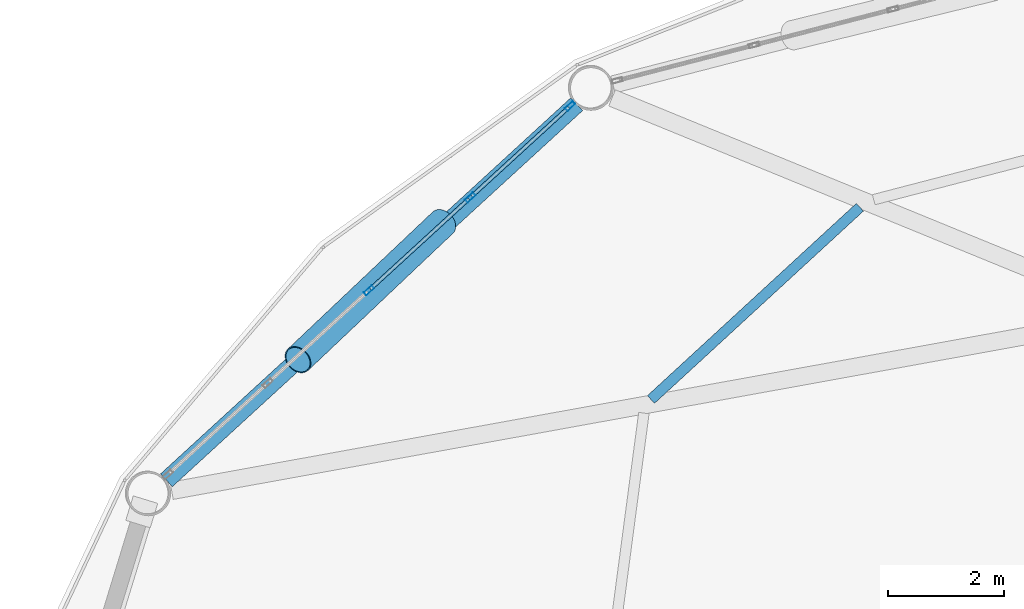
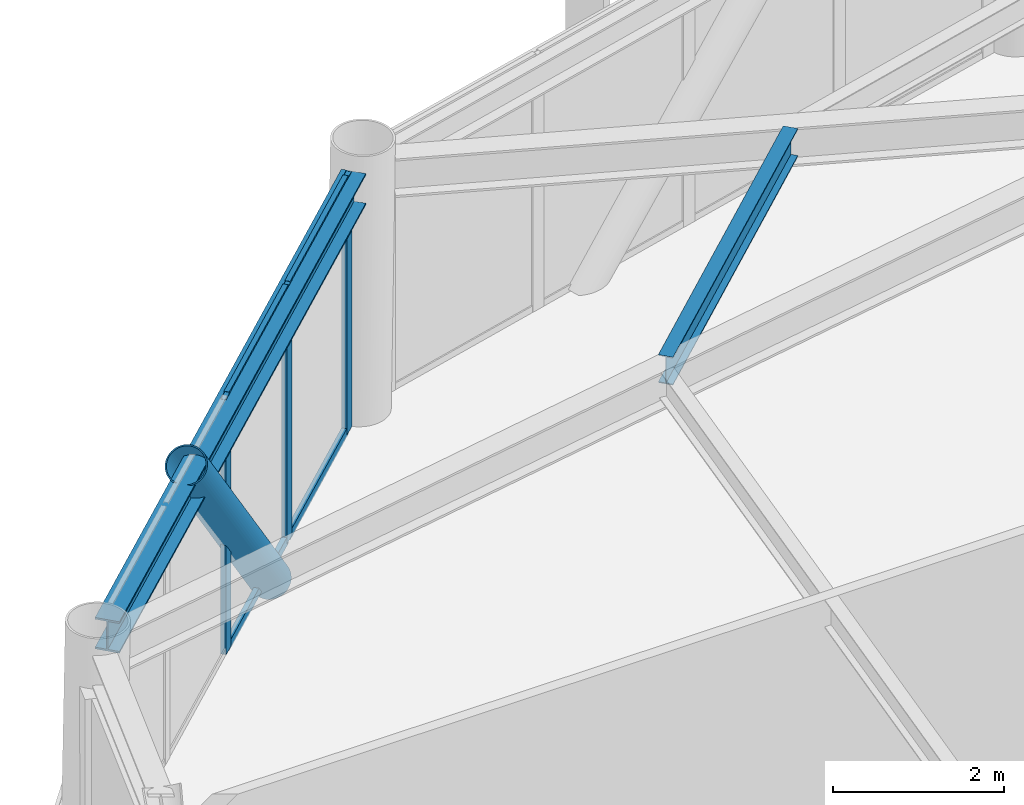
# One storey, part 16 of 26: 8 members, 2 beams, 1 element without a shape of its own.
"""IFC4 building model written with IfcOpenShell, lengths in metres."""

import ifcopenshell
import ifcopenshell.guid

model = None  # the IFC model being written
_history = None  # IfcOwnerHistory: only IFC2X3 demands one
_inside = {}  # id of a spatial element -> (the spatial element, [elements in it])
_under = {}  # id of a project, library or spatial element -> (it, [spatial elements below it])
_declared = {}  # id of a project -> (the project, [libraries it declares])
_typed = {}  # id of a type object -> (the type object, [elements of that type])
_made_of = {}  # id of a material, layer set ... -> (it, [elements and type objects made of it])


def new_model(schema):
    """Start an empty IFC model of exactly this schema.

    Asked for "IFC4X3", IfcOpenShell would pick the latest addendum, in which some entities
    have other attributes; the version numbers below select the first issue.
    IFC2X3 requires an IfcOwnerHistory on every rooted entity: one is made here for all.
    """
    global model, _history
    if schema == "IFC4X3":
        model = ifcopenshell.file(schema_version=(4, 3, 0, 0))
    else:
        model = ifcopenshell.file(schema=schema)
    _inside.clear()
    _under.clear()
    _declared.clear()
    _typed.clear()
    _made_of.clear()
    _history = None
    if model.schema == "IFC2X3":
        org = make("IfcOrganization", Name="unknown")
        user = make(
            "IfcPersonAndOrganization",
            ThePerson=make("IfcPerson", FamilyName="unknown"),
            TheOrganization=org,
        )
        app = make(
            "IfcApplication",
            ApplicationDeveloper=org,
            Version="unknown",
            ApplicationFullName="unknown",
            ApplicationIdentifier="unknown",
        )
        _history = make(
            "IfcOwnerHistory",
            OwningUser=user,
            OwningApplication=app,
            ChangeAction="ADDED",
            CreationDate=0,
        )
    return model


def make(cls, **values):
    """One entity of the class cls with the attributes given. An attribute that is None is left unset."""
    return model.create_entity(
        cls, **{name: value for name, value in values.items() if value is not None}
    )


def rooted(cls, **values):
    """An entity with a GlobalId (a new one), such as an element, a storey or a relation."""
    return make(cls, GlobalId=ifcopenshell.guid.new(), OwnerHistory=_history, **values)


def si_unit(unit_type, name, prefix=None):
    """IfcSIUnit, for example si_unit("LENGTHUNIT", "METRE", prefix="MILLI")."""
    return make("IfcSIUnit", UnitType=unit_type, Prefix=prefix, Name=name)


def assignment(units):
    """IfcUnitAssignment: the units of a project."""
    return None if units is None else make("IfcUnitAssignment", Units=units)


def point(xyz):
    """IfcCartesianPoint."""
    return None if xyz is None else make("IfcCartesianPoint", Coordinates=xyz)


def direction(xyz):
    """IfcDirection."""
    return None if xyz is None else make("IfcDirection", DirectionRatios=xyz)


def frame(location, z_axis=None, x_axis=None):
    """IfcAxis2Placement3D, a coordinate frame: its origin and axes. An axis left out is left unset."""
    return make(
        "IfcAxis2Placement3D",
        Location=point(location),
        Axis=direction(z_axis),
        RefDirection=direction(x_axis),
    )


def frame_2d(location, x_axis=None):
    """IfcAxis2Placement2D, a coordinate frame in the plane: its origin and x axis."""
    return make(
        "IfcAxis2Placement2D", Location=point(location), RefDirection=direction(x_axis)
    )


def origin():
    """The frame at (0, 0, 0) with its axes left unset."""
    return frame((0.0, 0.0, 0.0))


def origin_2d():
    """The frame at (0, 0) in the plane with its x axis left unset."""
    return frame_2d((0.0, 0.0))


def place(relative_to, where):
    """IfcLocalPlacement: puts the frame where relative to a parent placement (None: the world)."""
    return make(
        "IfcLocalPlacement", PlacementRelTo=relative_to, RelativePlacement=where
    )


def context(
    kind, dimensions, precision=None, world=None, true_north=None, identifier=None
):
    """IfcGeometricRepresentationContext, for example the 3D "Model" context."""
    return make(
        "IfcGeometricRepresentationContext",
        ContextIdentifier=identifier,
        ContextType=kind,
        CoordinateSpaceDimension=dimensions,
        Precision=precision,
        WorldCoordinateSystem=world,
        TrueNorth=true_north,
    )


def subcontext(parent, identifier, kind, view, scale=None):
    """IfcGeometricRepresentationSubContext, for example "Body" below "Model"."""
    return make(
        "IfcGeometricRepresentationSubContext",
        ContextIdentifier=identifier,
        ContextType=kind,
        ParentContext=parent,
        TargetScale=scale,
        TargetView=view,
    )


def project(units=None, contexts=None):
    """IfcProject with its units and contexts."""
    return rooted(
        "IfcProject",
        Name="project",
        RepresentationContexts=contexts,
        UnitsInContext=assignment(units),
    )


def spatial(cls, under=None, at=None, **own):
    """A site, building, storey or space (cls), placed at a placement, below another one or the project."""
    s = rooted(cls, ObjectPlacement=at, **own)
    if under is not None:
        _under.setdefault(under.id(), (under, []))[1].append(s)
    return s


def profile(cls, at=None, kind="AREA", **sizes):
    """A parametric profile (cls). Its sizes go by their IFC names, for example OverallWidth=200.0."""
    return make(cls, ProfileType=kind, Position=at, **sizes)


def hollow_rectangle(**sizes):
    """IfcRectangleHollowProfileDef."""
    return profile("IfcRectangleHollowProfileDef", **sizes)


def hollow_circle(**sizes):
    """IfcCircleHollowProfileDef."""
    return profile("IfcCircleHollowProfileDef", **sizes)


def i_section(**sizes):
    """IfcIShapeProfileDef."""
    return profile("IfcIShapeProfileDef", **sizes)


def extrude(swept, where, along, depth):
    """IfcExtrudedAreaSolid: the profile swept, set in the frame where, extruded along a direction by depth."""
    return make(
        "IfcExtrudedAreaSolid",
        SweptArea=swept,
        Position=where,
        ExtrudedDirection=direction(along),
        Depth=depth,
    )


def shape(context_of_items, identifier, shape_type, items):
    """IfcShapeRepresentation: the items that make up one representation, for example the "Body"."""
    return make(
        "IfcShapeRepresentation",
        ContextOfItems=context_of_items,
        RepresentationIdentifier=identifier,
        RepresentationType=shape_type,
        Items=items,
    )


def material(Name=None, Category=None):
    """IfcMaterial."""
    return make("IfcMaterial", Name=Name, Category=Category)


def layer(
    of_material, thickness, ventilated=None, Name=None, Category=None, Priority=None
):
    """IfcMaterialLayer: one layer of a wall or slab, of a material (None: an air gap)."""
    return make(
        "IfcMaterialLayer",
        Material=of_material,
        LayerThickness=thickness,
        IsVentilated=ventilated,
        Name=Name,
        Category=Category,
        Priority=Priority,
    )


def layer_set(layers, Name=None):
    """IfcMaterialLayerSet."""
    return make("IfcMaterialLayerSet", MaterialLayers=layers, LayerSetName=Name)


def material_profile(
    of_material, cross_section, Name=None, Category=None, Priority=None
):
    """IfcMaterialProfile: a cross section and its material."""
    return make(
        "IfcMaterialProfile",
        Name=Name,
        Material=of_material,
        Profile=cross_section,
        Priority=Priority,
        Category=Category,
    )


def profile_set(profiles, Name=None, composite=None):
    """IfcMaterialProfileSet."""
    return make(
        "IfcMaterialProfileSet",
        Name=Name,
        MaterialProfiles=profiles,
        CompositeProfile=composite,
    )


def made_of(thing, what):
    """Note that an element or type object is made of a material, layer set ...; save() writes the relation."""
    if what is not None:
        _made_of.setdefault(what.id(), (what, []))[1].append(thing)
    return thing


def type_object(cls, material=None, **own):
    """A type object (cls), such as IfcWallType, which elements share."""
    return made_of(rooted(cls, **own), material)


def element(
    cls,
    number,
    at=None,
    inside=None,
    cuts=None,
    type_object=None,
    material=None,
    context=None,
    identifier="Body",
    shape_type=None,
    held_by="IfcProductDefinitionShape",
    body=None,
    shapes=None,
    **own,
):
    """One element of the class cls, such as IfcWall. Its Tag is "e" and its number.

    at: its placement. inside: the storey or other place that contains it. cuts: it is an
    opening in that element (IfcRelVoidsElement). A single representation is given by context,
    identifier, shape_type and body (its items); several are given by shapes. held_by: the class
    of the entity that holds the representations. save() writes the other relations.
    """
    e = rooted(cls, Tag="e%d" % number, ObjectPlacement=at, **own)
    if body is not None:
        shapes = [shape(context, identifier, shape_type, body)]
    if shapes is not None:
        e.Representation = make(held_by, Representations=shapes)
    if inside is not None:
        _inside.setdefault(inside.id(), (inside, []))[1].append(e)
    if cuts is not None:
        rooted(
            "IfcRelVoidsElement", RelatingBuildingElement=cuts, RelatedOpeningElement=e
        )
    if type_object is not None:
        _typed.setdefault(type_object.id(), (type_object, []))[1].append(e)
    return made_of(e, material)


def aggregate(whole, parts):
    """IfcRelAggregates: a whole, such as a stair, and the parts it consists of."""
    return rooted("IfcRelAggregates", RelatingObject=whole, RelatedObjects=parts)


def save(model, path):
    """Write the relations noted so far, then the file.

    IfcRelAggregates (storeys below a building ...), IfcRelContainedInSpatialStructure (elements
    in a storey), IfcRelDefinesByType, IfcRelAssociatesMaterial and IfcRelDeclares: one each for
    every whole, place, type object, material and project.
    """
    for whole, parts in _under.values():
        aggregate(whole, parts)
    for where, things in _inside.values():
        rooted(
            "IfcRelContainedInSpatialStructure",
            RelatedElements=things,
            RelatingStructure=where,
        )
    for kind, things in _typed.values():
        rooted("IfcRelDefinesByType", RelatedObjects=things, RelatingType=kind)
    for what, things in _made_of.values():
        rooted("IfcRelAssociatesMaterial", RelatedObjects=things, RelatingMaterial=what)
    for by, libraries in _declared.values():
        rooted("IfcRelDeclares", RelatingContext=by, RelatedDefinitions=libraries)
    model.write(path)


model = new_model("IFC4")

# Units and contexts
model_context = context("Model", 3, precision=1e-05, world=origin(), true_north=direction((0.0, 1.0)))
body_context = subcontext(model_context, "Body", "Model", "MODEL_VIEW")
ifc_project = project(units=[si_unit("LENGTHUNIT", "METRE"), si_unit("AREAUNIT", "SQUARE_METRE"), si_unit("VOLUMEUNIT", "CUBIC_METRE"), si_unit("PLANEANGLEUNIT", "RADIAN"), si_unit("MASSUNIT", "GRAM", prefix="KILO")], contexts=[model_context])

# Site, building, storey
site_placement = place(None, origin())
site = spatial("IfcSite", under=ifc_project, at=site_placement, CompositionType="ELEMENT")
building_placement = place(site_placement, origin())
building = spatial("IfcBuilding", under=site, at=building_placement, Name="Varnakorn Sky Granary", CompositionType="ELEMENT")
storey_placement = place(building_placement, frame((0.0, 0.0, 138.300048828125)))
storey = spatial("IfcBuildingStorey", under=building, at=storey_placement, Name="L34", CompositionType="ELEMENT", Elevation=138.300048828125)

# Beams
ifc_material_1 = material(Name="Steel S355JR", Category="steel")
ifc_material_profile_1 = material_profile(ifc_material_1, i_section(OverallWidth=0.179931640625, OverallDepth=0.39990234375, WebThickness=0.008544921875, FlangeThickness=0.013427734375, at=origin_2d()), Name="IPE 400")
ifc_profile_set_1 = profile_set([ifc_material_profile_1], Name="Steel S355JR")
beam_type_1 = type_object("IfcBeamType", Name="BM-SEC-Z3", PredefinedType="BEAM", material=ifc_profile_set_1)
beam_1_placement = place(storey_placement, frame((-7.283447265625, 14.473388671875, 3.43994140625), z_axis=(-0.735899171658, -0.677091137996, 0.0), x_axis=(0.677091137996, -0.735899171658, 0.0)))
element("IfcBeam", 1, at=beam_1_placement, inside=storey, type_object=beam_type_1, Name="Secondary Floor Chord Beam MSB05 L34", PredefinedType="BEAM", context=body_context, shape_type="SweptSolid", body=[
    extrude(i_section(OverallWidth=0.179931640625, OverallDepth=0.39990234375, WebThickness=0.008544921875, FlangeThickness=0.013427734375, at=origin_2d()), origin(), (0.0, 0.0, 1.0), 4.890380859375),
])
ifc_material_profile_2 = material_profile(ifc_material_1, i_section(OverallWidth=0.300048828125, OverallDepth=0.449951171875, WebThickness=0.013916015625, FlangeThickness=0.02587890625, at=origin_2d()), Name="HE 450 B")
ifc_profile_set_2 = profile_set([ifc_material_profile_2], Name="Steel S355JR")
beam_type_2 = type_object("IfcBeamType", Name="BM-SPD-Z3", PredefinedType="SPANDREL", material=ifc_profile_set_2)
beam_2_placement = place(storey_placement, frame((-12.160888671875, 16.248779296875, 3.4150390625), z_axis=(-0.737177396724, -0.675699256888, 0.0), x_axis=(0.675699256888, -0.737177396724, 0.0)))
element("IfcBeam", 2, at=beam_2_placement, inside=storey, type_object=beam_type_2, Name="Perimeter Spandrel Ring Beam RB05 L34", PredefinedType="SPANDREL", context=body_context, shape_type="SweptSolid", body=[
    extrude(i_section(OverallWidth=0.300048828125, OverallDepth=0.449951171875, WebThickness=0.013916015625, FlangeThickness=0.02587890625, at=origin_2d()), origin(), (0.0, 0.0, 1.0), 9.58642578125),
])

# Curtain wall, members
ifc_material_2 = material(Name="Anodised Bronze Aluminium Alloy 6063-T6", Category="aluminium")
ifc_layer = layer(ifc_material_2, 0.179931640625, Name="Anodised Bronze Aluminium Alloy 6063-T6")
ifc_layer_set = layer_set([ifc_layer], Name="Anodised Bronze Aluminium Alloy 6063-T6")
curtain_wall_type = type_object("IfcCurtainWallType", Name="CW-FRM-2", PredefinedType="USERDEFINED", material=ifc_layer_set)
curtain_wall_placement = place(storey_placement, origin())
curtain_wall = element("IfcCurtainWall", 3, at=curtain_wall_placement, inside=storey, type_object=curtain_wall_type, Name="Unitised Curtain Wall CW4 CW-L34-B05", ObjectType="CURTAIN WALL", PredefinedType="USERDEFINED")
ifc_material_profile_3 = material_profile(ifc_material_2, hollow_rectangle(XDim=0.070068359375, YDim=0.18505859375, WallThickness=0.00390625, at=origin_2d()), Name="ALU MULL 70x185")
ifc_profile_set_3 = profile_set([ifc_material_profile_3], Name="Anodised Bronze Aluminium Alloy 6063-T6")
member_type_1 = type_object("IfcMemberType", Name="CW-FRM-2-MULL", PredefinedType="MULLION", material=ifc_profile_set_3)
member_1_placement = place(storey_placement, frame((-15.739501953125, 13.042724609375, 0.0), z_axis=(0.0, 0.0, 1.0), x_axis=(-0.675438035219, 0.737416748236, 0.0)))
member_1 = element("IfcMember", 4, at=member_1_placement, type_object=member_type_1, Name="CW4 mullion 3", PredefinedType="MULLION", context=body_context, shape_type="SweptSolid", body=[
    extrude(hollow_rectangle(XDim=0.070068359375, YDim=0.18505859375, WallThickness=0.00390625, at=origin_2d()), origin(), (0.0, 0.0, 1.0), 3.639892578125),
])
member_2_placement = place(storey_placement, frame((-13.994384765625, 14.641357421875, 0.0), z_axis=(0.0, 0.0, 1.0), x_axis=(-0.675438035219, 0.737416748236, 0.0)))
member_2 = element("IfcMember", 5, at=member_2_placement, type_object=member_type_1, Name="CW4 mullion 4", PredefinedType="MULLION", context=body_context, shape_type="SweptSolid", body=[
    extrude(hollow_rectangle(XDim=0.070068359375, YDim=0.18505859375, WallThickness=0.00390625, at=origin_2d()), origin(), (0.0, 0.0, 1.0), 3.639892578125),
])
member_3_placement = place(storey_placement, frame((-12.27490234375, 16.216064453125, 0.0), z_axis=(0.0, 0.0, 1.0), x_axis=(-0.675438035219, 0.737416748236, 0.0)))
member_3 = element("IfcMember", 6, at=member_3_placement, type_object=member_type_1, Name="CW4 mullion 5", PredefinedType="MULLION", context=body_context, shape_type="SweptSolid", body=[
    extrude(hollow_rectangle(XDim=0.070068359375, YDim=0.18505859375, WallThickness=0.00390625, at=origin_2d()), origin(), (0.0, 0.0, 1.0), 3.639892578125),
])
ifc_material_profile_4 = material_profile(ifc_material_2, hollow_rectangle(XDim=0.06494140625, YDim=0.1201171875, WallThickness=0.00341796875, at=origin_2d()), Name="ALU TRAN 65x120")
ifc_profile_set_4 = profile_set([ifc_material_profile_4], Name="Anodised Bronze Aluminium Alloy 6063-T6")
member_type_2 = type_object("IfcMemberType", Name="CW-FRM-2-TRAN", PredefinedType="USERDEFINED", material=ifc_profile_set_4)
member_4_placement = place(storey_placement, frame((-15.713623046875, 13.06640625, 0.032470703125), z_axis=(0.737414424206, 0.675440572496, 0.0), x_axis=(-0.675440572496, 0.737414424206, 0.0)))
member_4 = element("IfcMember", 7, at=member_4_placement, type_object=member_type_2, Name="CW4 transom 3.1", ObjectType="TRANSOM", PredefinedType="USERDEFINED", context=body_context, shape_type="SweptSolid", body=[
    extrude(hollow_rectangle(XDim=0.06494140625, YDim=0.1201171875, WallThickness=0.00341796875, at=origin_2d()), origin(), (0.0, 0.0, 1.0), 2.296630859375),
])
member_5_placement = place(storey_placement, frame((-15.713623046875, 13.06640625, 3.607421875), z_axis=(0.737414424206, 0.675440572496, 0.0), x_axis=(-0.675440572496, 0.737414424206, 0.0)))
member_5 = element("IfcMember", 8, at=member_5_placement, type_object=member_type_2, Name="CW4 transom 3.2", ObjectType="TRANSOM", PredefinedType="USERDEFINED", context=body_context, shape_type="SweptSolid", body=[
    extrude(hollow_rectangle(XDim=0.06494140625, YDim=0.1201171875, WallThickness=0.00341796875, at=origin_2d()), origin(), (0.0, 0.0, 1.0), 2.296630859375),
])
member_6_placement = place(storey_placement, frame((-13.968505859375, 14.664794921875, 0.032470703125), z_axis=(0.737409502372, 0.675445945885, 0.0), x_axis=(-0.675445945885, 0.737409502372, 0.0)))
member_6 = element("IfcMember", 9, at=member_6_placement, type_object=member_type_2, Name="CW4 transom 4.1", ObjectType="TRANSOM", PredefinedType="USERDEFINED", context=body_context, shape_type="SweptSolid", body=[
    extrude(hollow_rectangle(XDim=0.06494140625, YDim=0.1201171875, WallThickness=0.00341796875, at=origin_2d()), origin(), (0.0, 0.0, 1.0), 2.26171875),
])
member_7_placement = place(storey_placement, frame((-13.968505859375, 14.664794921875, 3.607421875), z_axis=(0.737409502372, 0.675445945885, 0.0), x_axis=(-0.675445945885, 0.737409502372, 0.0)))
member_7 = element("IfcMember", 10, at=member_7_placement, type_object=member_type_2, Name="CW4 transom 4.2", ObjectType="TRANSOM", PredefinedType="USERDEFINED", context=body_context, shape_type="SweptSolid", body=[
    extrude(hollow_rectangle(XDim=0.06494140625, YDim=0.1201171875, WallThickness=0.00341796875, at=origin_2d()), origin(), (0.0, 0.0, 1.0), 2.26171875),
])
aggregate(curtain_wall, [member_1, member_2, member_3, member_4, member_5, member_6, member_7])

# Member
ifc_material_3 = material(Name="Steel S460M", Category="steel")
ifc_material_profile_5 = material_profile(ifc_material_3, hollow_circle(Radius=0.25390625, WallThickness=0.01806640625, at=origin_2d()), Name="CHS 508x18")
ifc_profile_set_5 = profile_set([ifc_material_profile_5], Name="Steel S460M")
member_type_3 = type_object("IfcMemberType", Name="MB-DIAG-T2", PredefinedType="BRACE", material=ifc_profile_set_5)
member_8_placement = place(storey_placement, frame((-14.467529296875, 14.207763671875, -0.130126953125), z_axis=(-0.478676855407, -0.452817624228, 0.752213179415), x_axis=(0.687212022838, -0.726456905582, 0.0)))
element("IfcMember", 11, at=member_8_placement, inside=storey, type_object=member_type_3, Name="Perimeter CHS Diagrid Brace DG05 L34", PredefinedType="BRACE", context=body_context, shape_type="SweptSolid", body=[
    extrude(hollow_circle(Radius=0.25390625, WallThickness=0.01806640625, at=origin_2d()), origin(), (0.0, 0.0, 1.0), 5.21142578125),
])

save(model, "model.ifc")
